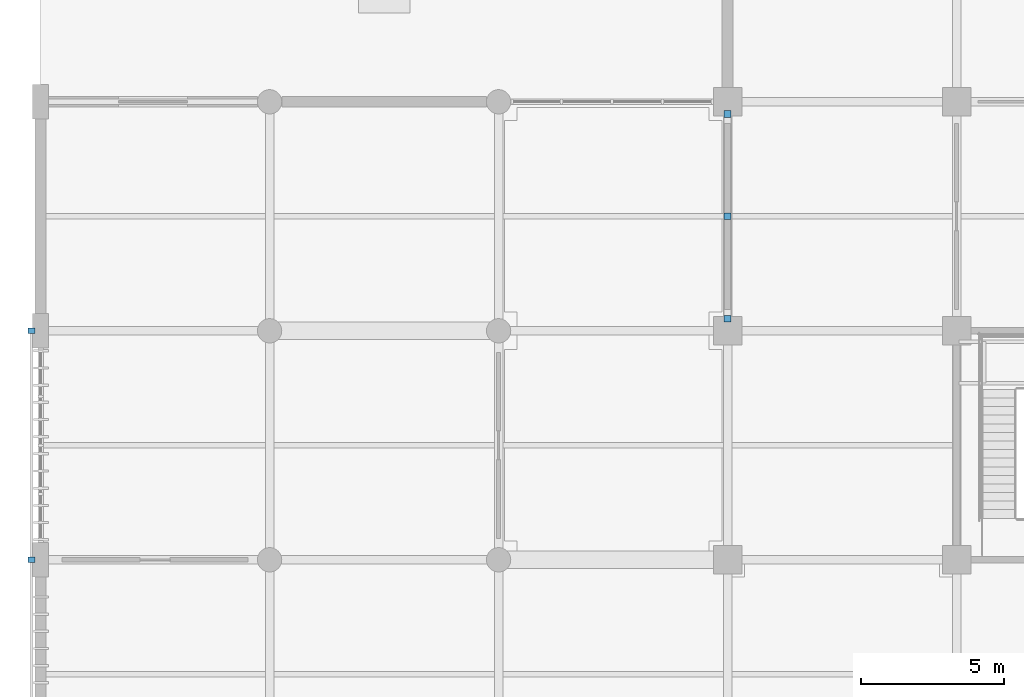
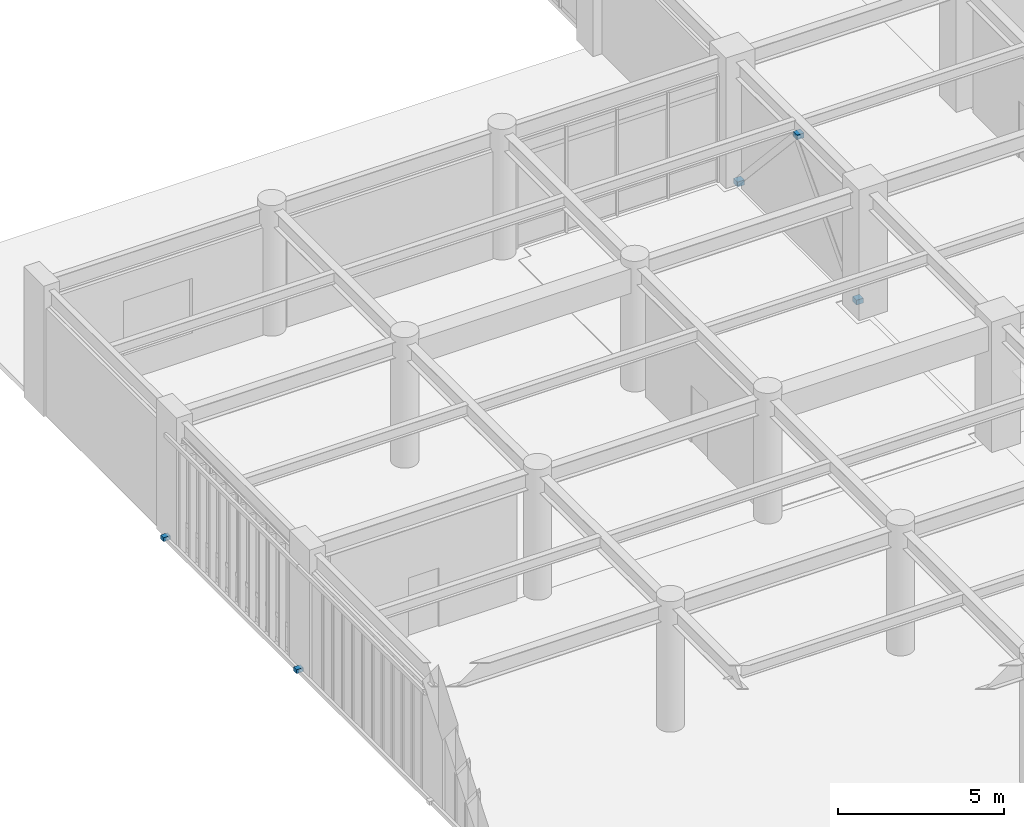
# One storey, part 94 of 117: 5 discrete accessories.
"""IFC4 building model written with IfcOpenShell, lengths in metres."""

from ifc_helpers import new_model, si_unit, direction, frame, origin, origin_2d, place, context, subcontext, project, spatial, rectangle, extrude, material, layer, layer_set, type_object, element, save


model = new_model("IFC4")

# Units and contexts
model_context = context("Model", 3, precision=1e-05, world=origin(), true_north=direction((0.0, 1.0)))
body_context = subcontext(model_context, "Body", "Model", "MODEL_VIEW")
ifc_project = project(units=[si_unit("LENGTHUNIT", "METRE"), si_unit("AREAUNIT", "SQUARE_METRE"), si_unit("VOLUMEUNIT", "CUBIC_METRE"), si_unit("PLANEANGLEUNIT", "RADIAN"), si_unit("MASSUNIT", "GRAM", prefix="KILO")], contexts=[model_context])

# Site, building, storey
site_placement = place(None, origin())
site = spatial("IfcSite", under=ifc_project, at=site_placement, CompositionType="ELEMENT")
building_placement = place(site_placement, origin())
building = spatial("IfcBuilding", under=site, at=building_placement, Name="Haebicheon Civic Stadium", CompositionType="ELEMENT")
storey_placement = place(building_placement, frame((0.0, 0.0, 4.800048828125)))
storey = spatial("IfcBuildingStorey", under=building, at=storey_placement, Name="L02", CompositionType="ELEMENT", Elevation=4.800048828125)

# Discrete accessories
ifc_material_1 = material(Name="White painted steel SM490", Category="steel")
ifc_layer_1 = layer(ifc_material_1, 0.179931640625, Name="White painted steel SM490")
ifc_layer_set_1 = layer_set([ifc_layer_1], Name="White painted steel SM490")
discrete_accessory_type_1 = type_object("IfcDiscreteAccessoryType", Name="BRK-END-PLT", PredefinedType="BRACKET", material=ifc_layer_set_1)
for number, where, z_axis, x_axis, name in (
    (1, (24.0, 136.419921875, -0.0498046875), (0.0, 0.0, 1.0), (1.0, 0.0, 0.0), "Brace L02-03-17 bolted end connection plate"),
    (2, (24.0, 143.580078125, -0.0498046875), (0.0, 0.0, 1.0), (1.0, 0.0, 0.0), "Brace L02-03-17 bolted end connection plate"),
    (3, (24.0, 140.0, 3.85009765625), (0.0, 0.0, 1.0), (1.0, 0.0, 0.0), "Brace L02-03-17 bolted end connection plate"),
):
    element("IfcDiscreteAccessory", number, at=place(storey_placement, frame(where, z_axis=z_axis, x_axis=x_axis)), inside=storey, type_object=discrete_accessory_type_1, material=ifc_layer_set_1, Name=name, PredefinedType="BRACKET", context=body_context, shape_type="SweptSolid", body=[
        extrude(rectangle(XDim=0.239990234375, YDim=0.239990234375, at=origin_2d()), origin(), (0.0, 0.0, 1.0), 0.179931640625),
    ])
ifc_material_2 = material(Name="Stainless steel 316", Category="steel")
ifc_layer_2 = layer(ifc_material_2, 0.139892578125, Name="Stainless steel 316")
ifc_layer_set_2 = layer_set([ifc_layer_2], Name="Stainless steel 316")
discrete_accessory_type_2 = type_object("IfcDiscreteAccessoryType", Name="BRK-LVR-CLEAT", PredefinedType="BRACKET", material=ifc_layer_set_2)
for number, where, z_axis, x_axis, name in (
    (4, (-0.31494140625, 128.0, 0.009765625), (0.0, 0.0, 1.0), (1.0, 0.0, 0.0), "SCR-BOUL L02 stainless bracket cleat 10B"),
    (5, (-0.31494140625, 136.0, 0.009765625), (0.0, 0.0, 1.0), (1.0, 0.0, 0.0), "SCR-BOUL L02 stainless bracket cleat 11B"),
):
    element("IfcDiscreteAccessory", number, at=place(storey_placement, frame(where, z_axis=z_axis, x_axis=x_axis)), inside=storey, type_object=discrete_accessory_type_2, material=ifc_layer_set_2, Name=name, PredefinedType="BRACKET", context=body_context, shape_type="SweptSolid", body=[
        extrude(rectangle(XDim=0.239990234375, YDim=0.179931640625, at=origin_2d()), origin(), (0.0, 0.0, 1.0), 0.139892578125),
    ])

save(model, "model.ifc")
